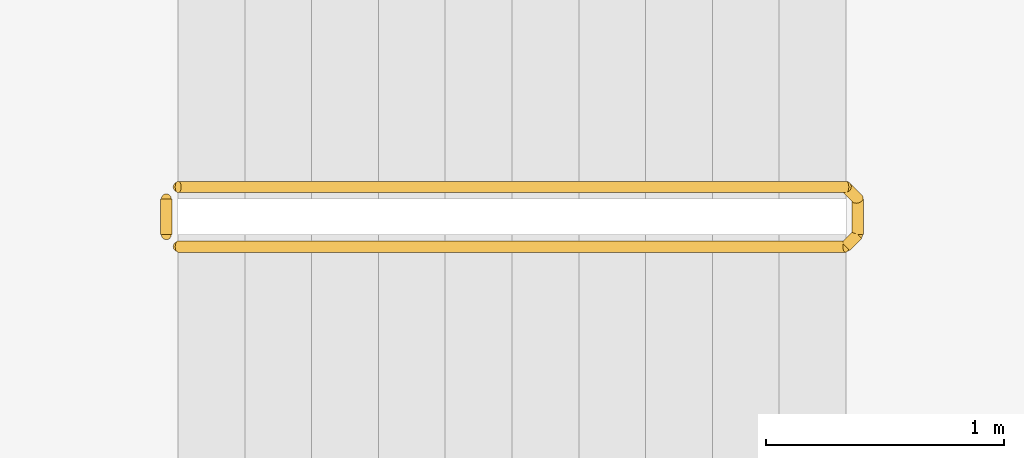
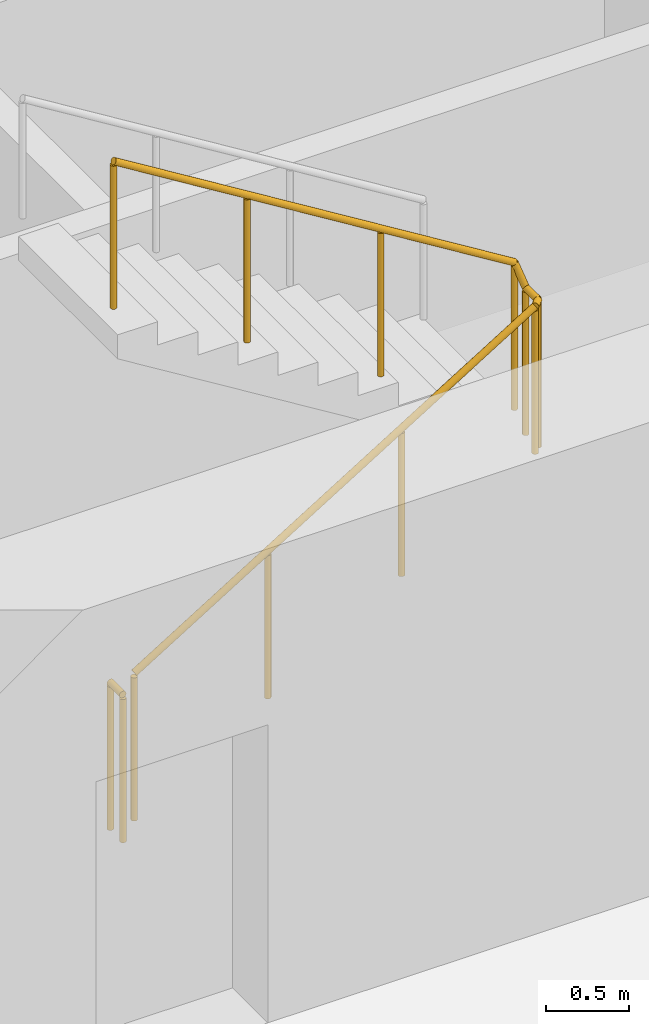
# One storey, part 10 of 14: 2 railings.
"""IFC4 building model written with IfcOpenShell, lengths in metres."""

from ifc_helpers import new_model, si_unit, direction, frame, origin, origin_2d, place, context, subcontext, project, spatial, circle, extrude, material, type_object, element, save


model = new_model("IFC4")

# Units and contexts
model_context = context("Model", 3, precision=1e-05, world=origin(), true_north=direction((0.0, 1.0)))
body_context = subcontext(model_context, "Body", "Model", "MODEL_VIEW")
ifc_project = project(units=[si_unit("LENGTHUNIT", "METRE"), si_unit("AREAUNIT", "SQUARE_METRE"), si_unit("VOLUMEUNIT", "CUBIC_METRE"), si_unit("PLANEANGLEUNIT", "RADIAN"), si_unit("MASSUNIT", "GRAM", prefix="KILO")], contexts=[model_context])

# Site, building, storey
site_placement = place(None, origin())
site = spatial("IfcSite", under=ifc_project, at=site_placement, CompositionType="ELEMENT")
building_placement = place(site_placement, origin())
building = spatial("IfcBuilding", under=site, at=building_placement, Name="Orbiselva Terraces", CompositionType="ELEMENT")
storey_placement = place(building_placement, frame((0.0, 0.0, 107.4)))
storey = spatial("IfcBuildingStorey", under=building, at=storey_placement, Name="L27", CompositionType="ELEMENT", Elevation=107.4)

# Railings
ifc_material = material(Name="Stainless steel", Category="steel")
railing_type = type_object("IfcRailingType", Name="CORE-GUARD-1100", PredefinedType="GUARDRAIL", material=ifc_material)
railing_1_placement = place(storey_placement, frame((-7.15, 6.55, 0.172727)))
element("IfcRailing", 1, at=railing_1_placement, inside=storey, type_object=railing_type, Name="L27 S3 stair guard 1", PredefinedType="GUARDRAIL", context=body_context, shape_type="SweptSolid", body=[
    extrude(circle(Radius=0.024, at=origin_2d()), frame((0.0, 0.0, 1.081), z_axis=(0.851088519012, 0.0, 0.52502222125), x_axis=(0.0, 1.0, 0.0)), (0.0, 0.0, 1.0), 3.289905),
    extrude(circle(Radius=0.024, at=origin_2d()), frame((2.8, 0.0, 2.808273), z_axis=(0.707106781187, 0.707106781187, 0.0), x_axis=(-0.707106781187, 0.707106781187, 0.0)), (0.0, 0.0, 1.0), 0.070711),
    extrude(circle(Radius=0.024, at=origin_2d()), frame((2.85, 0.05, 2.808273), z_axis=(0.0, 1.0, 0.0), x_axis=(-1.0, 0.0, 0.0)), (0.0, 0.0, 1.0), 0.15),
    extrude(circle(Radius=0.024, at=origin_2d()), frame((2.85, 0.2, 2.808273), z_axis=(-0.267894925557, 0.267894925557, 0.925453736133), x_axis=(-0.707106781187, -0.707106781187, 0.0)), (0.0, 0.0, 1.0), 0.18664),
    extrude(circle(Radius=0.024, at=origin_2d()), frame((2.8, 0.25, 2.981), z_axis=(-0.851088519012, 0.0, 0.52502222125), x_axis=(0.0, -1.0, 0.0)), (0.0, 0.0, 1.0), 3.289905),
    extrude(circle(Radius=0.021, at=origin_2d()), origin(), (0.0, 0.0, 1.0), 1.057),
    extrude(circle(Radius=0.021, at=origin_2d()), frame((0.933333, 0.0, 0.575758)), (0.0, 0.0, 1.0), 1.057),
    extrude(circle(Radius=0.021, at=origin_2d()), frame((1.866667, 0.0, 1.151515)), (0.0, 0.0, 1.0), 1.057),
    extrude(circle(Radius=0.021, at=origin_2d()), frame((2.8, 0.0, 1.727273)), (0.0, 0.0, 1.0), 1.057),
    extrude(circle(Radius=0.021, at=origin_2d()), frame((2.85, 0.05, 1.727273)), (0.0, 0.0, 1.0), 1.057),
    extrude(circle(Radius=0.021, at=origin_2d()), frame((2.85, 0.2, 1.727273)), (0.0, 0.0, 1.0), 1.057),
    extrude(circle(Radius=0.021, at=origin_2d()), frame((2.8, 0.25, 1.9)), (0.0, 0.0, 1.0), 1.057),
    extrude(circle(Radius=0.021, at=origin_2d()), frame((1.866667, 0.25, 2.475758)), (0.0, 0.0, 1.0), 1.057),
    extrude(circle(Radius=0.021, at=origin_2d()), frame((0.933333, 0.25, 3.051515)), (0.0, 0.0, 1.0), 1.057),
    extrude(circle(Radius=0.021, at=origin_2d()), frame((0.0, 0.25, 3.627273)), (0.0, 0.0, 1.0), 1.057),
])
railing_2_placement = place(storey_placement, frame((-7.2, 6.6, 0.0)))
element("IfcRailing", 2, at=railing_2_placement, inside=storey, type_object=railing_type, Name="L27 S3 stair guard 2", PredefinedType="GUARDRAIL", context=body_context, shape_type="SweptSolid", body=[
    extrude(circle(Radius=0.024, at=origin_2d()), frame((0.0, 0.0, 1.081), z_axis=(0.0, 1.0, 0.0), x_axis=(-1.0, 0.0, 0.0)), (0.0, 0.0, 1.0), 0.15),
    extrude(circle(Radius=0.021, at=origin_2d()), origin(), (0.0, 0.0, 1.0), 1.057),
    extrude(circle(Radius=0.021, at=origin_2d()), frame((0.0, 0.15, 0.0)), (0.0, 0.0, 1.0), 1.057),
])

save(model, "model.ifc")
